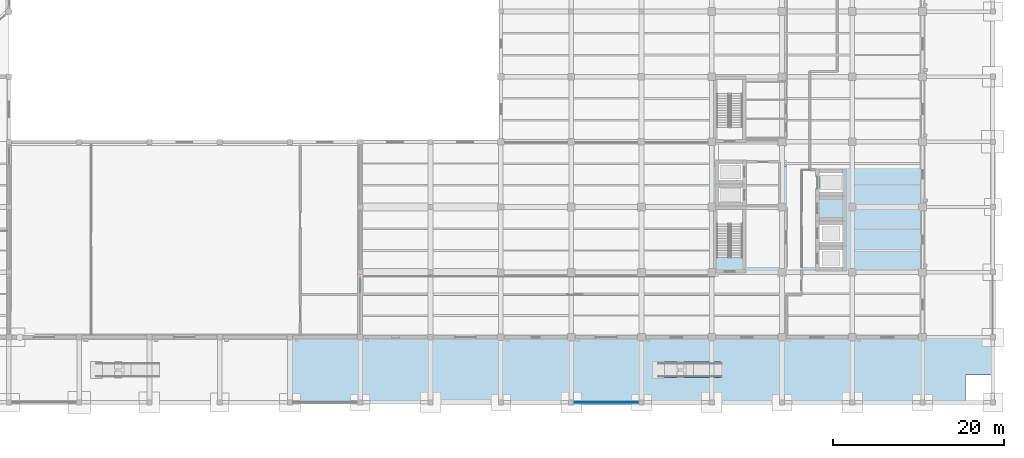
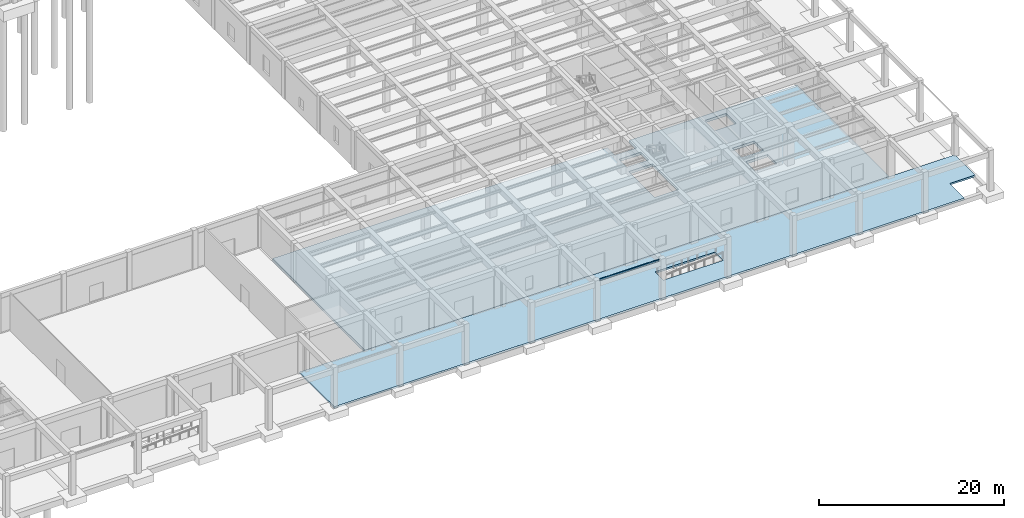
# One storey, part 37 of 64: 2 slabs, 1 plate.
"""IFC4 building model written with IfcOpenShell, lengths in metres."""

from ifc_helpers import new_model, si_unit, direction, frame, origin, origin_2d, place, context, subcontext, project, spatial, polyline, rectangle, outline, extrude, material, layer, layer_set, type_object, element, save


model = new_model("IFC4")

# Units and contexts
model_context = context("Model", 3, precision=1e-05, world=origin(), true_north=direction((0.0, 1.0)))
body_context = subcontext(model_context, "Body", "Model", "MODEL_VIEW")
ifc_project = project(units=[si_unit("LENGTHUNIT", "METRE"), si_unit("AREAUNIT", "SQUARE_METRE"), si_unit("VOLUMEUNIT", "CUBIC_METRE"), si_unit("PLANEANGLEUNIT", "RADIAN"), si_unit("MASSUNIT", "GRAM", prefix="KILO")], contexts=[model_context])

# Site, building, storey
site_placement = place(None, origin())
site = spatial("IfcSite", under=ifc_project, at=site_placement, CompositionType="ELEMENT")
building_placement = place(site_placement, origin())
building = spatial("IfcBuilding", under=site, at=building_placement, Name="Qandaris Square Conservatory and Botanical Centre", CompositionType="ELEMENT")
storey_placement = place(building_placement, origin())
storey = spatial("IfcBuildingStorey", under=building, at=storey_placement, Name="L00", CompositionType="ELEMENT", Elevation=0.0)

# Plate
ifc_material_1 = material(Name="Anodised Aluminium", Category="aluminium")
ifc_layer_1 = layer(ifc_material_1, 0.030029296875)
ifc_layer_set_1 = layer_set([ifc_layer_1], Name="Anodised Aluminium")
plate_type = type_object("IfcPlateType", Name="Prairie Entrance Canopy Soffit Fascia Plate", PredefinedType="SHEET", material=ifc_layer_set_1)
plate_placement = place(storey_placement, frame((126.89990234375, 9.0, 5.0498046875), z_axis=(0.0, 0.0, 1.0), x_axis=(1.0, 0.0, 0.0)))
element("IfcPlate", 1, at=plate_placement, inside=storey, type_object=plate_type, Name="Canopy Fascia CNP-S5", PredefinedType="SHEET", context=body_context, shape_type="SweptSolid", body=[
    extrude(rectangle(XDim=7.39990234375, YDim=0.030029296875, at=origin_2d()), origin(), (0.0, 0.0, 1.0), 0.239990234375),
])

# Slabs
ifc_material_2 = material(Name="Concrete C40/50", Category="concrete")
ifc_layer_2 = layer(ifc_material_2, 0.235107421875)
ifc_layer_set_2 = layer_set([ifc_layer_2], Name="Concrete C40/50")
slab_type_1 = type_object("IfcSlabType", Name="RC Exterior Terrace Slab 235mm", PredefinedType="FLOOR", material=ifc_layer_set_2)
slab_1_placement = place(storey_placement, frame((0.0, 0.0, -0.235107421875)))
element("IfcSlab", 2, at=slab_1_placement, inside=storey, type_object=slab_type_1, Name="Colonnade Plaza Deck COL-SE", PredefinedType="FLOOR", context=body_context, shape_type="SweptSolid", body=[
    extrude(outline(polyline([(90.0, 16.60009765625), (172.0, 16.60009765625), (172.0, 12.199951171875), (168.800048828125, 12.199951171875), (168.800048828125, 9.0), (90.0, 9.0), (90.0, 16.60009765625)]), holes=[polyline([(140.300048828125, 11.89990234375), (140.300048828125, 13.699951171875), (132.800048828125, 13.699951171875), (132.800048828125, 11.89990234375), (140.300048828125, 11.89990234375)])]), origin(), (0.0, 0.0, 1.0), 0.235107421875),
])
ifc_layer_3 = layer(ifc_material_2, 0.340087890625)
ifc_layer_set_3 = layer_set([ifc_layer_3], Name="Concrete C40/50")
slab_type_2 = type_object("IfcSlabType", Name="RC Structural Slab 340mm", PredefinedType="FLOOR", material=ifc_layer_set_3)
slab_2_placement = place(storey_placement, frame((0.0, 0.0, -0.340087890625)))
element("IfcSlab", 3, at=slab_2_placement, inside=storey, type_object=slab_type_2, Name="L00 Structural Slab V4L00", PredefinedType="FLOOR", context=body_context, shape_type="SweptSolid", body=[
    extrude(outline(polyline([(163.800048828125, 16.60009765625), (98.199951171875, 16.60009765625), (98.199951171875, 36.60009765625), (140.06005859375, 36.60009765625), (140.06005859375, 34.9599609375), (142.800048828125, 34.9599609375), (142.800048828125, 36.60009765625), (163.800048828125, 36.60009765625), (163.800048828125, 16.60009765625)]), holes=[polyline([(151.75, 24.800048828125), (154.449951171875, 24.800048828125), (154.449951171875, 26.800048828125), (151.75, 26.800048828125), (151.75, 24.800048828125)]), polyline([(139.800048828125, 25.89990234375), (142.800048828125, 25.89990234375), (142.800048828125, 31.5), (139.800048828125, 31.5), (139.800048828125, 25.89990234375)]), polyline([(151.75, 27.719970703125), (154.449951171875, 27.719970703125), (154.449951171875, 29.719970703125), (151.75, 29.719970703125), (151.75, 27.719970703125)]), polyline([(140.06005859375, 34.0400390625), (140.06005859375, 32.360107421875), (142.800048828125, 32.360107421875), (142.800048828125, 34.0400390625), (140.06005859375, 34.0400390625)]), polyline([(151.75, 35.760009765625), (151.75, 33.56005859375), (154.449951171875, 33.56005859375), (154.449951171875, 35.760009765625), (151.75, 35.760009765625)])]), origin(), (0.0, 0.0, 1.0), 0.340087890625),
])

save(model, "model.ifc")
